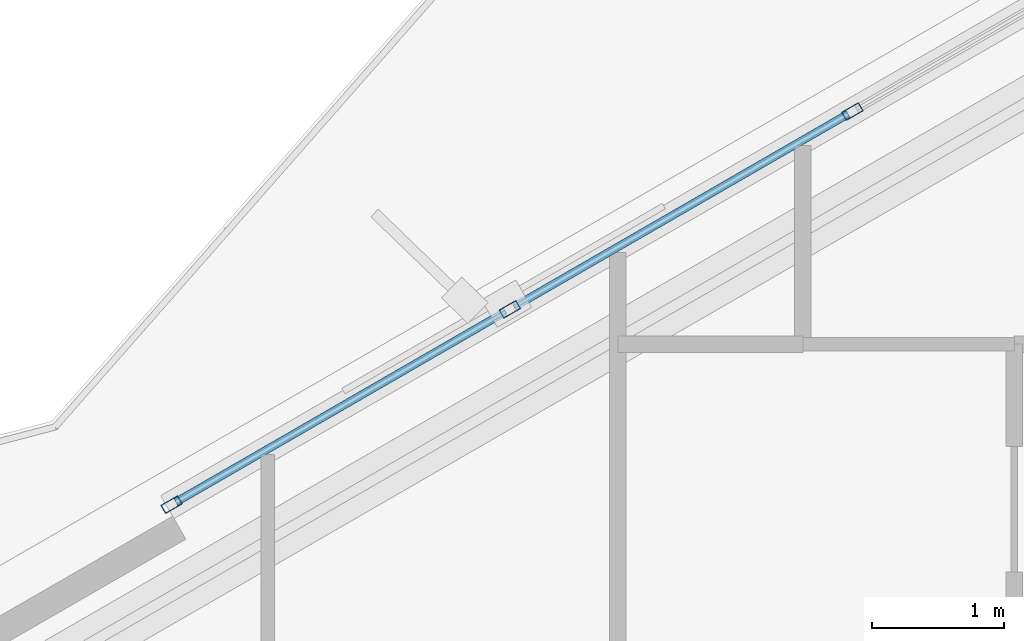
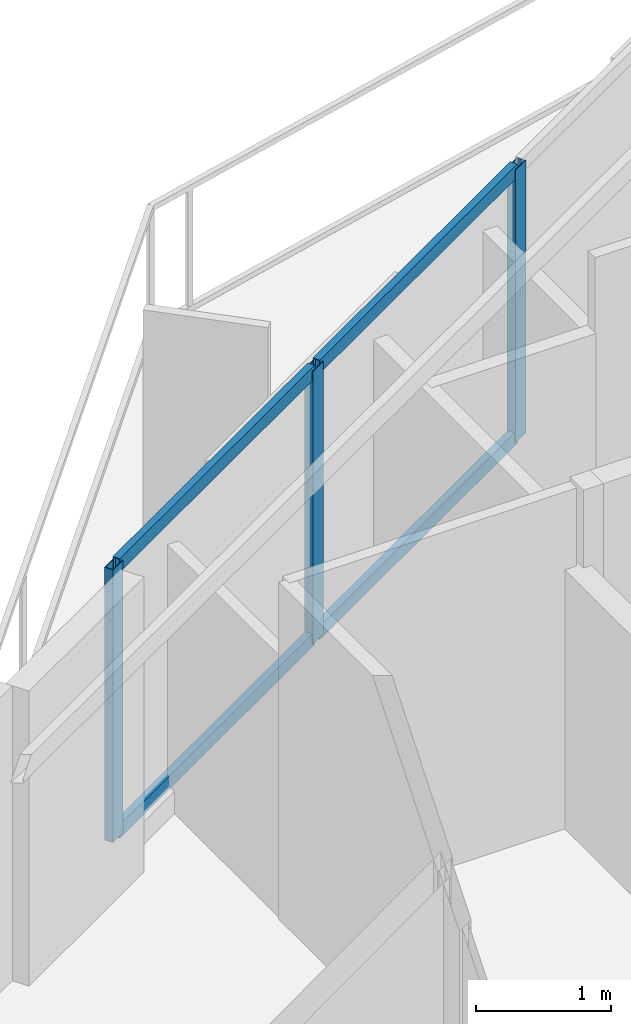
# One storey, part 7 of 18: 7 members, 1 element without a shape of its own.
"""IFC4 building model written with IfcOpenShell, lengths in metres."""

from ifc_helpers import new_model, si_unit, direction, frame, origin, origin_2d, place, context, subcontext, project, spatial, hollow_rectangle, extrude, material, layer, layer_set, material_profile, profile_set, type_object, element, aggregate, save


model = new_model("IFC4")

# Units and contexts
model_context = context("Model", 3, precision=1e-05, world=origin(), true_north=direction((0.0, 1.0)))
body_context = subcontext(model_context, "Body", "Model", "MODEL_VIEW")
ifc_project = project(units=[si_unit("LENGTHUNIT", "METRE"), si_unit("AREAUNIT", "SQUARE_METRE"), si_unit("VOLUMEUNIT", "CUBIC_METRE"), si_unit("PLANEANGLEUNIT", "RADIAN"), si_unit("MASSUNIT", "GRAM", prefix="KILO")], contexts=[model_context])

# Site, building, storey
site_placement = place(None, origin())
site = spatial("IfcSite", under=ifc_project, at=site_placement, CompositionType="ELEMENT")
building_placement = place(site_placement, origin())
building = spatial("IfcBuilding", under=site, at=building_placement, Name="Mersakhor Tower and Convention Hall", CompositionType="ELEMENT")
storey_placement = place(building_placement, frame((0.0, 0.0, 32.39990234375)))
storey = spatial("IfcBuildingStorey", under=building, at=storey_placement, Name="L08", CompositionType="ELEMENT", Elevation=32.39990234375)

# Curtain wall, members
ifc_material_1 = material(Name="Dark solar low-E aluminium curtain wall", Category="aluminium")
ifc_layer = layer(ifc_material_1, 0.159912109375)
ifc_layer_set = layer_set([ifc_layer], Name="Dark solar low-E aluminium curtain wall")
curtain_wall_type = type_object("IfcCurtainWallType", Name="CW-SYS-01", PredefinedType="USERDEFINED", material=ifc_layer_set)
curtain_wall_placement = place(storey_placement, origin())
curtain_wall = element("IfcCurtainWall", 1, at=curtain_wall_placement, inside=storey, type_object=curtain_wall_type, Name="L08 Dark-Glass Curtain Wall F1-B2", ObjectType="CURTAIN WALL", PredefinedType="USERDEFINED")
ifc_material_2 = material(Name="Anodised aluminium EN AW-6063 T6", Category="aluminium")
ifc_material_profile_1 = material_profile(ifc_material_2, hollow_rectangle(XDim=0.074951171875, YDim=0.14990234375, WallThickness=0.00634765625, at=origin_2d()), Name="RHS 150x75x6.3")
ifc_profile_set_1 = profile_set([ifc_material_profile_1], Name="Anodised aluminium EN AW-6063 T6")
member_type_1 = type_object("IfcMemberType", Name="CWM-150x75", PredefinedType="MULLION", material=ifc_profile_set_1)
member_1_placement = place(storey_placement, frame((16.423095703125, 36.635986328125, 0.2001953125), z_axis=(0.0, 0.0, 1.0), x_axis=(-0.50000344889, 0.866023412558, 0.0)))
member_1 = element("IfcMember", 2, at=member_1_placement, type_object=member_type_1, Name="CW-01 mullion 1", PredefinedType="MULLION", context=body_context, shape_type="SweptSolid", body=[
    extrude(hollow_rectangle(XDim=0.074951171875, YDim=0.14990234375, WallThickness=0.00634765625, at=origin_2d()), origin(), (0.0, 0.0, 1.0), 2.4599609375),
])
member_2_placement = place(storey_placement, frame((18.982666015625, 38.11376953125, 0.2001953125), z_axis=(0.0, 0.0, 1.0), x_axis=(-0.50000344889, 0.866023412558, 0.0)))
member_2 = element("IfcMember", 3, at=member_2_placement, type_object=member_type_1, Name="CW-01 mullion 2", PredefinedType="MULLION", context=body_context, shape_type="SweptSolid", body=[
    extrude(hollow_rectangle(XDim=0.074951171875, YDim=0.14990234375, WallThickness=0.00634765625, at=origin_2d()), origin(), (0.0, 0.0, 1.0), 2.4599609375),
])
member_3_placement = place(storey_placement, frame((21.574951171875, 39.610595703125, 0.2001953125), z_axis=(0.0, 0.0, 1.0), x_axis=(-0.50000344889, 0.866023412558, 0.0)))
member_3 = element("IfcMember", 4, at=member_3_placement, type_object=member_type_1, Name="CW-01 mullion 3", PredefinedType="MULLION", context=body_context, shape_type="SweptSolid", body=[
    extrude(hollow_rectangle(XDim=0.074951171875, YDim=0.14990234375, WallThickness=0.00634765625, at=origin_2d()), origin(), (0.0, 0.0, 1.0), 2.4599609375),
])
ifc_material_3 = material(Name="Anodised aluminium EN AW-6063 T6", Category="aluminium")
ifc_material_profile_2 = material_profile(ifc_material_3, hollow_rectangle(XDim=0.06005859375, YDim=0.1201171875, WallThickness=0.0048828125, at=origin_2d()), Name="RHS 120x60x5")
ifc_profile_set_2 = profile_set([ifc_material_profile_2], Name="Anodised aluminium EN AW-6063 T6")
member_type_2 = type_object("IfcMemberType", Name="CWT-120x60", PredefinedType="USERDEFINED", material=ifc_profile_set_2)
member_4_placement = place(storey_placement, frame((16.45556640625, 36.65478515625, 0.22998046875), z_axis=(0.866002100865, 0.500040359669, 0.0), x_axis=(-0.500040359669, 0.866002100865, 0.0)))
member_4 = element("IfcMember", 5, at=member_4_placement, type_object=member_type_2, Name="CW-01 transom 1.1", ObjectType="TRANSOM", PredefinedType="USERDEFINED", context=body_context, shape_type="SweptSolid", body=[
    extrude(hollow_rectangle(XDim=0.06005859375, YDim=0.1201171875, WallThickness=0.0048828125, at=origin_2d()), origin(), (0.0, 0.0, 1.0), 2.880615234375),
])
member_5_placement = place(storey_placement, frame((16.45556640625, 36.65478515625, 2.630126953125), z_axis=(0.866002100865, 0.500040359669, 0.0), x_axis=(-0.500040359669, 0.866002100865, 0.0)))
member_5 = element("IfcMember", 6, at=member_5_placement, type_object=member_type_2, Name="CW-01 transom 1.2", ObjectType="TRANSOM", PredefinedType="USERDEFINED", context=body_context, shape_type="SweptSolid", body=[
    extrude(hollow_rectangle(XDim=0.06005859375, YDim=0.1201171875, WallThickness=0.0048828125, at=origin_2d()), origin(), (0.0, 0.0, 1.0), 2.880615234375),
])
member_6_placement = place(storey_placement, frame((19.01513671875, 38.132568359375, 0.22998046875), z_axis=(0.866015622527, 0.500016941252, 0.0), x_axis=(-0.500016941252, 0.866015622527, 0.0)))
member_6 = element("IfcMember", 7, at=member_6_placement, type_object=member_type_2, Name="CW-01 transom 2.1", ObjectType="TRANSOM", PredefinedType="USERDEFINED", context=body_context, shape_type="SweptSolid", body=[
    extrude(hollow_rectangle(XDim=0.06005859375, YDim=0.1201171875, WallThickness=0.0048828125, at=origin_2d()), origin(), (0.0, 0.0, 1.0), 2.91845703125),
])
member_7_placement = place(storey_placement, frame((19.01513671875, 38.132568359375, 2.630126953125), z_axis=(0.866015622527, 0.500016941252, 0.0), x_axis=(-0.500016941252, 0.866015622527, 0.0)))
member_7 = element("IfcMember", 8, at=member_7_placement, type_object=member_type_2, Name="CW-01 transom 2.2", ObjectType="TRANSOM", PredefinedType="USERDEFINED", context=body_context, shape_type="SweptSolid", body=[
    extrude(hollow_rectangle(XDim=0.06005859375, YDim=0.1201171875, WallThickness=0.0048828125, at=origin_2d()), origin(), (0.0, 0.0, 1.0), 2.91845703125),
])
aggregate(curtain_wall, [member_1, member_2, member_3, member_4, member_5, member_6, member_7])

save(model, "model.ifc")
